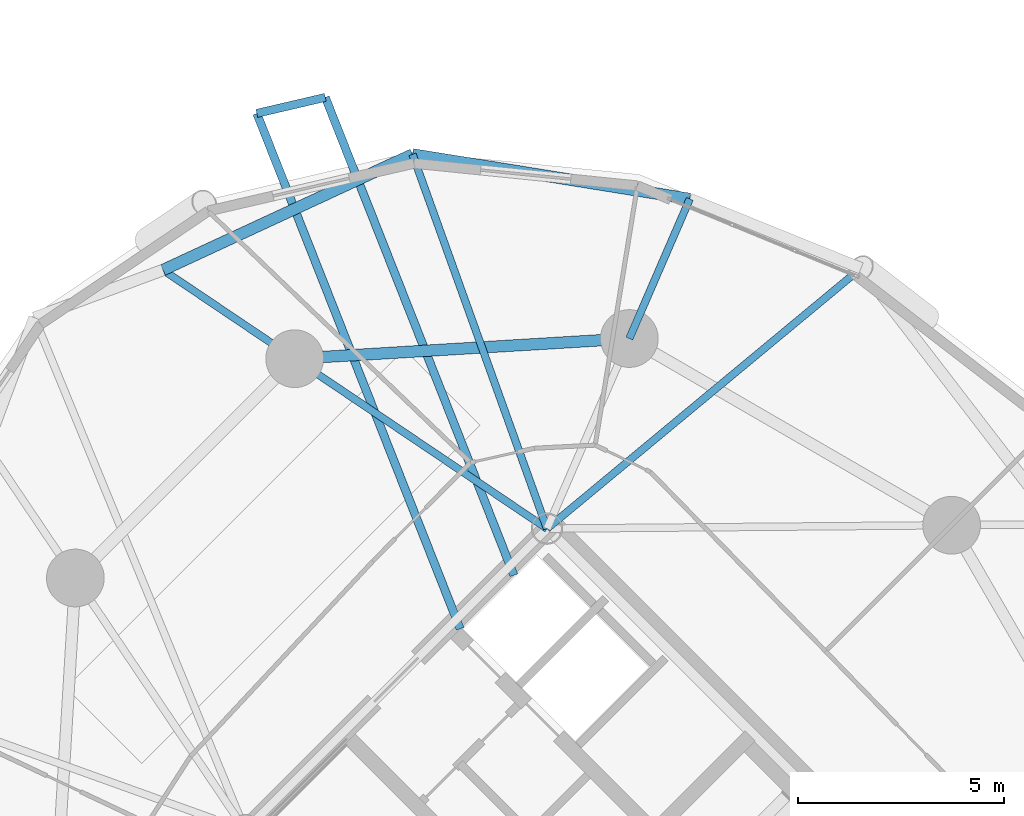
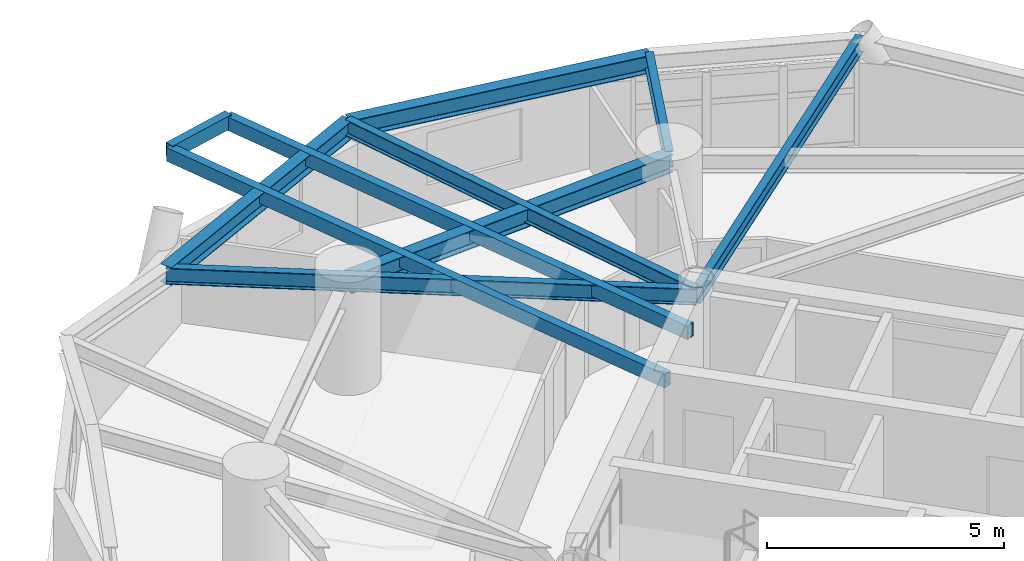
# One storey, part 6 of 16: 10 beams.
"""IFC4 building model written with IfcOpenShell, lengths in metres."""

from ifc_helpers import new_model, si_unit, direction, frame, origin, origin_2d, place, context, subcontext, project, spatial, hollow_rectangle, i_section, extrude, material, material_profile, profile_set, type_object, element, save


model = new_model("IFC4")

# Units and contexts
model_context = context("Model", 3, precision=1e-05, world=origin(), true_north=direction((0.0, 1.0)))
body_context = subcontext(model_context, "Body", "Model", "MODEL_VIEW")
ifc_project = project(units=[si_unit("LENGTHUNIT", "METRE"), si_unit("AREAUNIT", "SQUARE_METRE"), si_unit("VOLUMEUNIT", "CUBIC_METRE"), si_unit("PLANEANGLEUNIT", "RADIAN"), si_unit("MASSUNIT", "GRAM", prefix="KILO")], contexts=[model_context])

# Site, building, storey
site_placement = place(None, origin())
site = spatial("IfcSite", under=ifc_project, at=site_placement, CompositionType="ELEMENT")
building_placement = place(site_placement, origin())
building = spatial("IfcBuilding", under=site, at=building_placement, Name="Cununo Teusaquillo Station Towers", CompositionType="ELEMENT")
storey_placement = place(building_placement, frame((0.0, 0.0, 99.25)))
storey = spatial("IfcBuildingStorey", under=building, at=storey_placement, Name="L31", CompositionType="ELEMENT", Elevation=99.25)

# Beams
ifc_material_1 = material(Name="Steel EN 10025-2 S355J2", Category="steel")
ifc_material_profile_1 = material_profile(ifc_material_1, hollow_rectangle(XDim=0.199951171875, YDim=0.35009765625, WallThickness=0.013916015625, at=origin_2d()), Name="RHS 350x200x14")
ifc_profile_set_1 = profile_set([ifc_material_profile_1], Name="Steel EN 10025-2 S355J2")
beam_type_1 = type_object("IfcBeamType", Name="BM-BAL-CANT", PredefinedType="BEAM", material=ifc_profile_set_1)
beam_1_placement = place(storey_placement, frame((55.48974609375, 31.894287109375, 2.4951171875), z_axis=(-0.367001462432, 0.930220364523, 0.0), x_axis=(-0.930220364523, -0.367001462432, 0.0)))
element("IfcBeam", 1, at=beam_1_placement, inside=storey, type_object=beam_type_1, Name="L31 Tower B Balcony Cantilever Bracket 1A", PredefinedType="BEAM", context=body_context, shape_type="SweptSolid", body=[
    extrude(hollow_rectangle(XDim=0.199951171875, YDim=0.35009765625, WallThickness=0.013916015625, at=origin_2d()), origin(), (0.0, 0.0, 1.0), 12.459716796875),
])
beam_2_placement = place(storey_placement, frame((54.188720703125, 30.593505859375, 2.4951171875), z_axis=(-0.367008555132, 0.930217566196, 0.0), x_axis=(-0.930217566196, -0.367008555132, 0.0)))
element("IfcBeam", 2, at=beam_2_placement, inside=storey, type_object=beam_type_1, Name="L31 Tower B Balcony Cantilever Bracket 1B", PredefinedType="BEAM", context=body_context, shape_type="SweptSolid", body=[
    extrude(hollow_rectangle(XDim=0.199951171875, YDim=0.35009765625, WallThickness=0.013916015625, at=origin_2d()), origin(), (0.0, 0.0, 1.0), 13.44140625),
])
ifc_material_2 = material(Name="Steel ASTM A572 Grade 50", Category="steel")
ifc_material_profile_2 = material_profile(ifc_material_2, i_section(OverallWidth=0.180908203125, OverallDepth=0.4169921875, WebThickness=0.010986328125, FlangeThickness=0.018310546875, FilletRadius=0.012939453125, at=origin_2d()), Name="W16X57")
ifc_profile_set_2 = profile_set([ifc_material_profile_2], Name="Steel ASTM A572 Grade 50")
beam_type_2 = type_object("IfcBeamType", Name="BM-JOIST-1", PredefinedType="JOIST", material=ifc_profile_set_2)
beam_3_placement = place(storey_placement, frame((56.29443359375, 33.024169921875, 2.46142578125), z_axis=(0.769727799615, 0.638372238196, 0.0), x_axis=(-0.638372238196, 0.769727799615, 0.0)))
element("IfcBeam", 3, at=beam_3_placement, inside=storey, type_object=beam_type_2, Name="L31 Tower B Radial Spandrel Joist V01", PredefinedType="JOIST", context=body_context, shape_type="SweptSolid", body=[
    extrude(i_section(OverallWidth=0.180908203125, OverallDepth=0.4169921875, WebThickness=0.010986328125, FlangeThickness=0.018310546875, FilletRadius=0.012939453125, at=origin_2d()), origin(), (0.0, 0.0, 1.0), 9.895263671875),
])
beam_4_placement = place(storey_placement, frame((56.29443359375, 33.024169921875, 2.46142578125), z_axis=(-0.338176312038, 0.941082771055, 0.0), x_axis=(-0.941082771055, -0.338176312038, 0.0)))
element("IfcBeam", 4, at=beam_4_placement, inside=storey, type_object=beam_type_2, Name="L31 Tower B Radial Spandrel Joist V03", PredefinedType="JOIST", context=body_context, shape_type="SweptSolid", body=[
    extrude(i_section(OverallWidth=0.180908203125, OverallDepth=0.4169921875, WebThickness=0.010986328125, FlangeThickness=0.018310546875, FilletRadius=0.012939453125, at=origin_2d()), origin(), (0.0, 0.0, 1.0), 9.646484375),
])
ifc_material_3 = material(Name="Steel ASTM A572 Grade 50", Category="steel")
ifc_material_profile_3 = material_profile(ifc_material_3, i_section(OverallWidth=0.180908203125, OverallDepth=0.4169921875, WebThickness=0.010986328125, FlangeThickness=0.018310546875, FilletRadius=0.012939453125, at=origin_2d()), Name="W16X57")
ifc_profile_set_3 = profile_set([ifc_material_profile_3], Name="Steel ASTM A572 Grade 50")
beam_type_3 = type_object("IfcBeamType", Name="BM-RAD-G2", PredefinedType="BEAM", material=ifc_profile_set_3)
beam_5_placement = place(storey_placement, frame((58.291015625, 37.63525390625, 2.46142578125), z_axis=(0.397421761279, 0.917636062751, 0.0), x_axis=(-0.917636062751, 0.397421761279, 0.0)))
element("IfcBeam", 5, at=beam_5_placement, inside=storey, type_object=beam_type_3, Name="L31 Tower B Perimeter Overhang Girder 02B", PredefinedType="BEAM", context=body_context, shape_type="SweptSolid", body=[
    extrude(i_section(OverallWidth=0.180908203125, OverallDepth=0.4169921875, WebThickness=0.010986328125, FlangeThickness=0.018310546875, FilletRadius=0.012939453125, at=origin_2d()), origin(), (0.0, 0.0, 1.0), 3.690185546875),
])
beam_6_placement = place(storey_placement, frame((56.29443359375, 33.024169921875, 2.46142578125), z_axis=(-0.82945583878, 0.558572297481, 0.0), x_axis=(-0.558572297481, -0.82945583878, 0.0)))
element("IfcBeam", 6, at=beam_6_placement, inside=storey, type_object=beam_type_3, Name="L31 Tower B Continuous Overhanging Radial Girder 03", PredefinedType="BEAM", context=body_context, shape_type="SweptSolid", body=[
    extrude(i_section(OverallWidth=0.180908203125, OverallDepth=0.4169921875, WebThickness=0.010986328125, FlangeThickness=0.018310546875, FilletRadius=0.012939453125, at=origin_2d()), origin(), (0.0, 0.0, 1.0), 11.22998046875),
])
ifc_material_4 = material(Name="Steel ASTM A572 Grade 50", Category="steel")
ifc_material_profile_4 = material_profile(ifc_material_4, i_section(OverallWidth=0.280029296875, OverallDepth=0.462890625, WebThickness=0.0107421875, FlangeThickness=0.017333984375, FilletRadius=0.013916015625, at=origin_2d()), Name="W18X76")
ifc_profile_set_4 = profile_set([ifc_material_profile_4], Name="Steel ASTM A572 Grade 50")
beam_type_4 = type_object("IfcBeamType", Name="BM-RING-Z2", PredefinedType="SPANDREL", material=ifc_profile_set_4)
beam_7_placement = place(storey_placement, frame((58.291015625, 37.63525390625, 2.4384765625), z_axis=(-0.998190567048, -0.06012979176, 0.0), x_axis=(0.06012979176, -0.998190567048, 0.0)))
element("IfcBeam", 7, at=beam_7_placement, inside=storey, type_object=beam_type_4, Name="L31 Tower B Structural Column Ring Girder 02", PredefinedType="SPANDREL", context=body_context, shape_type="SweptSolid", body=[
    extrude(i_section(OverallWidth=0.280029296875, OverallDepth=0.462890625, WebThickness=0.0107421875, FlangeThickness=0.017333984375, FilletRadius=0.013916015625, at=origin_2d()), origin(), (0.0, 0.0, 1.0), 8.132568359375),
])
beam_8_placement = place(storey_placement, frame((59.757568359375, 41.021484375, 2.4384765625), z_axis=(-0.987331474246, 0.158671232312, 0.0), x_axis=(-0.158671232312, -0.987331474246, 0.0)))
element("IfcBeam", 8, at=beam_8_placement, inside=storey, type_object=beam_type_4, Name="L31 Tower B Spandrel Ring Beam 03", PredefinedType="SPANDREL", context=body_context, shape_type="SweptSolid", body=[
    extrude(i_section(OverallWidth=0.280029296875, OverallDepth=0.462890625, WebThickness=0.0107421875, FlangeThickness=0.017333984375, FilletRadius=0.013916015625, at=origin_2d()), origin(), (0.0, 0.0, 1.0), 6.8115234375),
])
beam_9_placement = place(storey_placement, frame((53.0322265625, 42.102294921875, 2.4384765625), z_axis=(-0.907275870354, -0.420535961689, 0.0), x_axis=(0.420535961689, -0.907275870354, 0.0)))
element("IfcBeam", 9, at=beam_9_placement, inside=storey, type_object=beam_type_4, Name="L31 Tower B Spandrel Ring Beam 04", PredefinedType="SPANDREL", context=body_context, shape_type="SweptSolid", body=[
    extrude(i_section(OverallWidth=0.280029296875, OverallDepth=0.462890625, WebThickness=0.0107421875, FlangeThickness=0.017333984375, FilletRadius=0.013916015625, at=origin_2d()), origin(), (0.0, 0.0, 1.0), 6.671142578125),
])
ifc_material_5 = material(Name="Steel EN 10025-2 S355J2", Category="steel")
ifc_material_profile_5 = material_profile(ifc_material_5, hollow_rectangle(XDim=0.199951171875, YDim=0.35009765625, WallThickness=0.013916015625, at=origin_2d()), Name="RHS 350x200x14")
ifc_profile_set_5 = profile_set([ifc_material_profile_5], Name="Steel EN 10025-2 S355J2")
beam_type_5 = type_object("IfcBeamType", Name="BM-STAIR-TRIM", PredefinedType="BEAM", material=ifc_profile_set_5)
beam_10_placement = place(storey_placement, frame((50.9169921875, 43.484619140625, 2.52490234375), z_axis=(-0.973835931599, -0.22725223503, 0.0), x_axis=(0.22725223503, -0.973835931599, 0.0)))
element("IfcBeam", 10, at=beam_10_placement, inside=storey, type_object=beam_type_5, Name="L31 Tower B Balcony Edge Trimmer Beam 1", PredefinedType="BEAM", context=body_context, shape_type="SweptSolid", body=[
    extrude(hollow_rectangle(XDim=0.199951171875, YDim=0.35009765625, WallThickness=0.013916015625, at=origin_2d()), origin(), (0.0, 0.0, 1.0), 1.7060546875),
])

save(model, "model.ifc")
